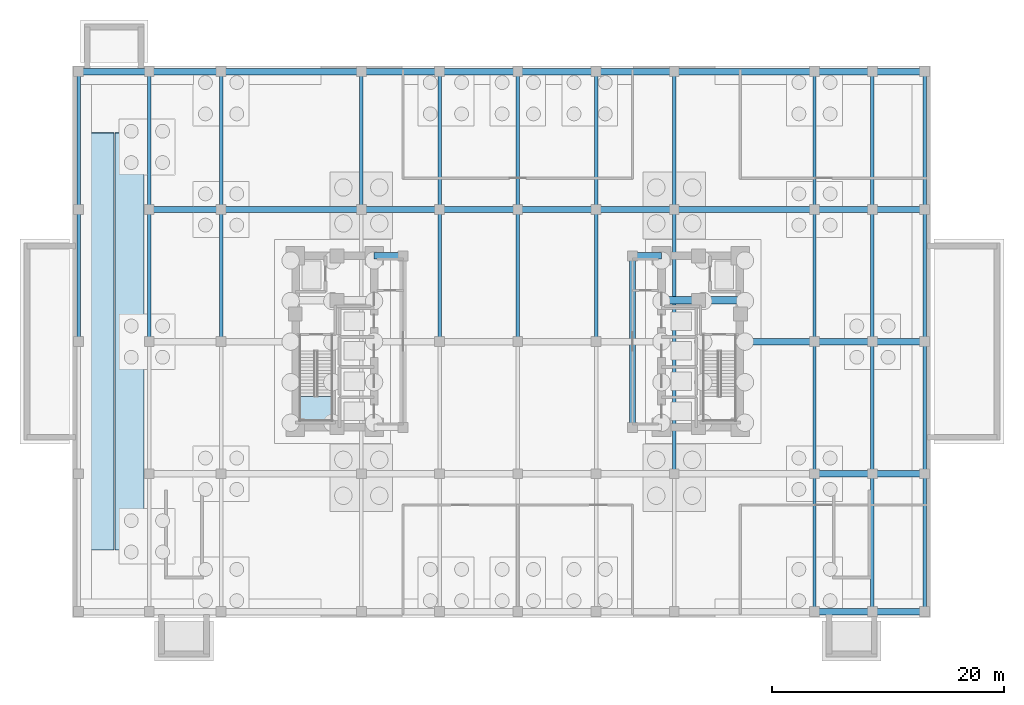
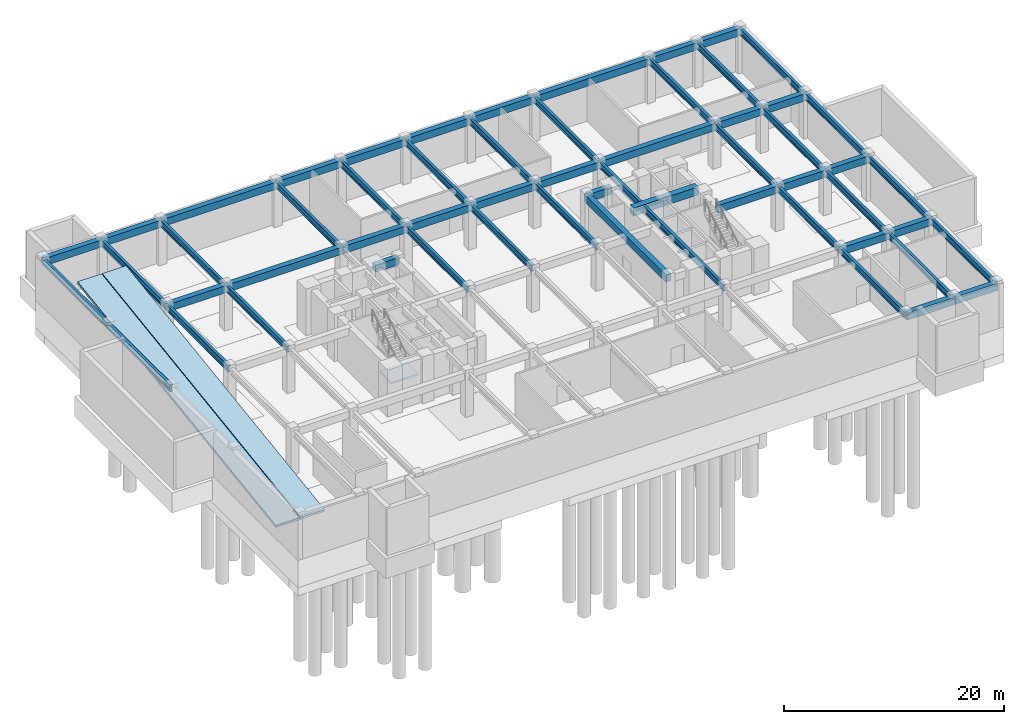
# One storey, part 3 of 11: 57 beams, 3 slabs, 1 element without a shape of its own.
"""IFC4 building model written with IfcOpenShell, lengths in metres."""

from ifc_helpers import new_model, si_unit, direction, frame, origin, origin_2d, place, context, subcontext, project, spatial, polyline, rectangle, i_section, outline, extrude, material, layer, layer_set, material_profile, profile_set, type_object, element, aggregate, save


model = new_model("IFC4")

# Units and contexts
model_context = context("Model", 3, precision=1e-05, world=origin(), true_north=direction((0.0, 1.0)))
body_context = subcontext(model_context, "Body", "Model", "MODEL_VIEW")
ifc_project = project(units=[si_unit("LENGTHUNIT", "METRE"), si_unit("AREAUNIT", "SQUARE_METRE"), si_unit("VOLUMEUNIT", "CUBIC_METRE"), si_unit("PLANEANGLEUNIT", "RADIAN"), si_unit("MASSUNIT", "GRAM", prefix="KILO")], contexts=[model_context])

# Site, building, storey
site_placement = place(None, origin())
site = spatial("IfcSite", under=ifc_project, at=site_placement, CompositionType="ELEMENT")
building_placement = place(site_placement, origin())
building = spatial("IfcBuilding", under=site, at=building_placement, Name="Voryun Gate Residences", CompositionType="ELEMENT")
storey_placement = place(building_placement, frame((0.0, 0.0, -10.39990234375)))
storey = spatial("IfcBuildingStorey", under=building, at=storey_placement, Name="B02", CompositionType="ELEMENT", Elevation=-10.39990234375)

# Beams
ifc_material_1 = material(Name="Concrete C50/60", Category="concrete")
ifc_material_profile_1 = material_profile(ifc_material_1, rectangle(XDim=0.550048828125, YDim=0.800048828125, at=origin_2d()), Name="RC-550x800")
ifc_profile_set_1 = profile_set([ifc_material_profile_1], Name="Concrete C50/60")
beam_type_1 = type_object("IfcBeamType", Name="BM_BSMT_RC800", PredefinedType="BEAM", material=ifc_profile_set_1)
for number, where, z_axis, x_axis, name in (
    (1, (-12.39990234375, 7.39990234375, 4.47998046875), (1.0, 0.0, 0.0), (0.0, 1.0, 0.0), "BM-B02-CLRX-CLR-WN"),
    (2, (12.39990234375, 7.39990234375, 4.47998046875), (-1.0, 0.0, 0.0), (0.0, -1.0, 0.0), "BM-B02-CLRX-CLR-EN"),
):
    element("IfcBeam", number, at=place(storey_placement, frame(where, z_axis=z_axis, x_axis=x_axis)), inside=storey, type_object=beam_type_1, Name=name, PredefinedType="BEAM", context=body_context, shape_type="SweptSolid", body=[
        extrude(rectangle(XDim=0.550048828125, YDim=0.800048828125, at=origin_2d()), origin(), (0.0, 0.0, 1.0), 2.5),
    ])
beam_1_placement = place(storey_placement, frame((9.89990234375, -7.39990234375, 4.47998046875), z_axis=(0.0, 1.0, 0.0), x_axis=(-1.0, 0.0, 0.0)))
element("IfcBeam", 3, at=beam_1_placement, inside=storey, type_object=beam_type_1, Name="BM-B02-CLRY-E", PredefinedType="BEAM", context=body_context, shape_type="SweptSolid", body=[
    extrude(rectangle(XDim=0.550048828125, YDim=0.800048828125, at=origin_2d()), origin(), (0.0, 0.0, 1.0), 14.7998046875),
])
beam_2_placement = place(storey_placement, frame((25.60009765625, -23.300048828125, 4.47998046875), z_axis=(1.0, 0.0, 0.0), x_axis=(0.0, 1.0, 0.0)))
element("IfcBeam", 4, at=beam_2_placement, inside=storey, type_object=beam_type_1, Name="BM-B02-BX--23.3-8", PredefinedType="BEAM", context=body_context, shape_type="SweptSolid", body=[
    extrude(rectangle(XDim=0.550048828125, YDim=0.800048828125, at=origin_2d()), origin(), (0.0, 0.0, 1.0), 5.0),
])
beam_3_placement = place(storey_placement, frame((30.60009765625, -23.300048828125, 4.47998046875), z_axis=(1.0, 0.0, 0.0), x_axis=(0.0, 1.0, 0.0)))
element("IfcBeam", 5, at=beam_3_placement, inside=storey, type_object=beam_type_1, Name="BM-B02-BX--23.3-9", PredefinedType="BEAM", context=body_context, shape_type="SweptSolid", body=[
    extrude(rectangle(XDim=0.550048828125, YDim=0.800048828125, at=origin_2d()), origin(), (0.0, 0.0, 1.0), 4.5),
])
beam_4_placement = place(storey_placement, frame((25.60009765625, -11.39990234375, 4.47998046875), z_axis=(1.0, 0.0, 0.0), x_axis=(0.0, 1.0, 0.0)))
element("IfcBeam", 6, at=beam_4_placement, inside=storey, type_object=beam_type_1, Name="BM-B02-BX--11.4-8", PredefinedType="BEAM", context=body_context, shape_type="SweptSolid", body=[
    extrude(rectangle(XDim=0.550048828125, YDim=0.800048828125, at=origin_2d()), origin(), (0.0, 0.0, 1.0), 5.0),
])
beam_5_placement = place(storey_placement, frame((30.60009765625, -11.39990234375, 4.47998046875), z_axis=(1.0, 0.0, 0.0), x_axis=(0.0, 1.0, 0.0)))
element("IfcBeam", 7, at=beam_5_placement, inside=storey, type_object=beam_type_1, Name="BM-B02-BX--11.4-9", PredefinedType="BEAM", context=body_context, shape_type="SweptSolid", body=[
    extrude(rectangle(XDim=0.550048828125, YDim=0.800048828125, at=origin_2d()), origin(), (0.0, 0.0, 1.0), 4.5),
])
beam_6_placement = place(storey_placement, frame((19.199951171875, 0.0, 4.47998046875), z_axis=(1.0, 0.0, 0.0), x_axis=(0.0, 1.0, 0.0)))
element("IfcBeam", 8, at=beam_6_placement, inside=storey, type_object=beam_type_1, Name="BM-B02-BX-+0.0-9", PredefinedType="BEAM", context=body_context, shape_type="SweptSolid", body=[
    extrude(rectangle(XDim=0.550048828125, YDim=0.800048828125, at=origin_2d()), origin(), (0.0, 0.0, 1.0), 6.400146484375),
])
beam_7_placement = place(storey_placement, frame((25.60009765625, 0.0, 4.47998046875), z_axis=(1.0, 0.0, 0.0), x_axis=(0.0, 1.0, 0.0)))
element("IfcBeam", 9, at=beam_7_placement, inside=storey, type_object=beam_type_1, Name="BM-B02-BX-+0.0-10", PredefinedType="BEAM", context=body_context, shape_type="SweptSolid", body=[
    extrude(rectangle(XDim=0.550048828125, YDim=0.800048828125, at=origin_2d()), origin(), (0.0, 0.0, 1.0), 5.0),
])
beam_8_placement = place(storey_placement, frame((30.60009765625, 0.0, 4.47998046875), z_axis=(1.0, 0.0, 0.0), x_axis=(0.0, 1.0, 0.0)))
element("IfcBeam", 10, at=beam_8_placement, inside=storey, type_object=beam_type_1, Name="BM-B02-BX-+0.0-11", PredefinedType="BEAM", context=body_context, shape_type="SweptSolid", body=[
    extrude(rectangle(XDim=0.550048828125, YDim=0.800048828125, at=origin_2d()), origin(), (0.0, 0.0, 1.0), 4.5),
])
beam_9_placement = place(storey_placement, frame((-31.800048828125, 11.39990234375, 4.47998046875), z_axis=(1.0, 0.0, 0.0), x_axis=(0.0, 1.0, 0.0)))
element("IfcBeam", 11, at=beam_9_placement, inside=storey, type_object=beam_type_1, Name="BM-B02-BX-+11.4-1", PredefinedType="BEAM", context=body_context, shape_type="SweptSolid", body=[
    extrude(rectangle(XDim=0.550048828125, YDim=0.800048828125, at=origin_2d()), origin(), (0.0, 0.0, 1.0), 6.199951171875),
])
beam_10_placement = place(storey_placement, frame((-25.60009765625, 11.39990234375, 4.47998046875), z_axis=(1.0, 0.0, 0.0), x_axis=(0.0, 1.0, 0.0)))
element("IfcBeam", 12, at=beam_10_placement, inside=storey, type_object=beam_type_1, Name="BM-B02-BX-+11.4-2", PredefinedType="BEAM", context=body_context, shape_type="SweptSolid", body=[
    extrude(rectangle(XDim=0.550048828125, YDim=0.800048828125, at=origin_2d()), origin(), (0.0, 0.0, 1.0), 12.10009765625),
])
for number, where, z_axis, x_axis, name in (
    (13, (-13.5, 11.39990234375, 4.47998046875), (1.0, 0.0, 0.0), (0.0, 1.0, 0.0), "BM-B02-BX-+11.4-3"),
    (14, (-6.75, 11.39990234375, 4.47998046875), (1.0, 0.0, 0.0), (0.0, 1.0, 0.0), "BM-B02-BX-+11.4-4"),
    (15, (0.0, 11.39990234375, 4.47998046875), (1.0, 0.0, 0.0), (0.0, 1.0, 0.0), "BM-B02-BX-+11.4-5"),
    (16, (6.75, 11.39990234375, 4.47998046875), (1.0, 0.0, 0.0), (0.0, 1.0, 0.0), "BM-B02-BX-+11.4-6"),
):
    element("IfcBeam", number, at=place(storey_placement, frame(where, z_axis=z_axis, x_axis=x_axis)), inside=storey, type_object=beam_type_1, Name=name, PredefinedType="BEAM", context=body_context, shape_type="SweptSolid", body=[
        extrude(rectangle(XDim=0.550048828125, YDim=0.800048828125, at=origin_2d()), origin(), (0.0, 0.0, 1.0), 6.75),
    ])
beam_11_placement = place(storey_placement, frame((13.5, 11.39990234375, 4.47998046875), z_axis=(1.0, 0.0, 0.0), x_axis=(0.0, 1.0, 0.0)))
element("IfcBeam", 17, at=beam_11_placement, inside=storey, type_object=beam_type_1, Name="BM-B02-BX-+11.4-7", PredefinedType="BEAM", context=body_context, shape_type="SweptSolid", body=[
    extrude(rectangle(XDim=0.550048828125, YDim=0.800048828125, at=origin_2d()), origin(), (0.0, 0.0, 1.0), 12.10009765625),
])
beam_12_placement = place(storey_placement, frame((25.60009765625, 11.39990234375, 4.47998046875), z_axis=(1.0, 0.0, 0.0), x_axis=(0.0, 1.0, 0.0)))
element("IfcBeam", 18, at=beam_12_placement, inside=storey, type_object=beam_type_1, Name="BM-B02-BX-+11.4-8", PredefinedType="BEAM", context=body_context, shape_type="SweptSolid", body=[
    extrude(rectangle(XDim=0.550048828125, YDim=0.800048828125, at=origin_2d()), origin(), (0.0, 0.0, 1.0), 5.0),
])
beam_13_placement = place(storey_placement, frame((30.60009765625, 11.39990234375, 4.47998046875), z_axis=(1.0, 0.0, 0.0), x_axis=(0.0, 1.0, 0.0)))
element("IfcBeam", 19, at=beam_13_placement, inside=storey, type_object=beam_type_1, Name="BM-B02-BX-+11.4-9", PredefinedType="BEAM", context=body_context, shape_type="SweptSolid", body=[
    extrude(rectangle(XDim=0.550048828125, YDim=0.800048828125, at=origin_2d()), origin(), (0.0, 0.0, 1.0), 4.5),
])
beam_14_placement = place(storey_placement, frame((-37.89990234375, 23.300048828125, 4.47998046875), z_axis=(1.0, 0.0, 0.0), x_axis=(0.0, 1.0, 0.0)))
element("IfcBeam", 20, at=beam_14_placement, inside=storey, type_object=beam_type_1, Name="BM-B02-BX-+23.3-0", PredefinedType="BEAM", context=body_context, shape_type="SweptSolid", body=[
    extrude(rectangle(XDim=0.550048828125, YDim=0.800048828125, at=origin_2d()), origin(), (0.0, 0.0, 1.0), 6.099853515625),
])
beam_15_placement = place(storey_placement, frame((-31.800048828125, 23.300048828125, 4.47998046875), z_axis=(1.0, 0.0, 0.0), x_axis=(0.0, 1.0, 0.0)))
element("IfcBeam", 21, at=beam_15_placement, inside=storey, type_object=beam_type_1, Name="BM-B02-BX-+23.3-1", PredefinedType="BEAM", context=body_context, shape_type="SweptSolid", body=[
    extrude(rectangle(XDim=0.550048828125, YDim=0.800048828125, at=origin_2d()), origin(), (0.0, 0.0, 1.0), 6.199951171875),
])
beam_16_placement = place(storey_placement, frame((-25.60009765625, 23.300048828125, 4.47998046875), z_axis=(1.0, 0.0, 0.0), x_axis=(0.0, 1.0, 0.0)))
element("IfcBeam", 22, at=beam_16_placement, inside=storey, type_object=beam_type_1, Name="BM-B02-BX-+23.3-2", PredefinedType="BEAM", context=body_context, shape_type="SweptSolid", body=[
    extrude(rectangle(XDim=0.550048828125, YDim=0.800048828125, at=origin_2d()), origin(), (0.0, 0.0, 1.0), 12.10009765625),
])
for number, where, z_axis, x_axis, name in (
    (23, (-13.5, 23.300048828125, 4.47998046875), (1.0, 0.0, 0.0), (0.0, 1.0, 0.0), "BM-B02-BX-+23.3-3"),
    (24, (-6.75, 23.300048828125, 4.47998046875), (1.0, 0.0, 0.0), (0.0, 1.0, 0.0), "BM-B02-BX-+23.3-4"),
    (25, (0.0, 23.300048828125, 4.47998046875), (1.0, 0.0, 0.0), (0.0, 1.0, 0.0), "BM-B02-BX-+23.3-5"),
    (26, (6.75, 23.300048828125, 4.47998046875), (1.0, 0.0, 0.0), (0.0, 1.0, 0.0), "BM-B02-BX-+23.3-6"),
):
    element("IfcBeam", number, at=place(storey_placement, frame(where, z_axis=z_axis, x_axis=x_axis)), inside=storey, type_object=beam_type_1, Name=name, PredefinedType="BEAM", context=body_context, shape_type="SweptSolid", body=[
        extrude(rectangle(XDim=0.550048828125, YDim=0.800048828125, at=origin_2d()), origin(), (0.0, 0.0, 1.0), 6.75),
    ])
beam_17_placement = place(storey_placement, frame((13.5, 23.300048828125, 4.47998046875), z_axis=(1.0, 0.0, 0.0), x_axis=(0.0, 1.0, 0.0)))
element("IfcBeam", 27, at=beam_17_placement, inside=storey, type_object=beam_type_1, Name="BM-B02-BX-+23.3-7", PredefinedType="BEAM", context=body_context, shape_type="SweptSolid", body=[
    extrude(rectangle(XDim=0.550048828125, YDim=0.800048828125, at=origin_2d()), origin(), (0.0, 0.0, 1.0), 12.10009765625),
])
beam_18_placement = place(storey_placement, frame((25.60009765625, 23.300048828125, 4.47998046875), z_axis=(1.0, 0.0, 0.0), x_axis=(0.0, 1.0, 0.0)))
element("IfcBeam", 28, at=beam_18_placement, inside=storey, type_object=beam_type_1, Name="BM-B02-BX-+23.3-8", PredefinedType="BEAM", context=body_context, shape_type="SweptSolid", body=[
    extrude(rectangle(XDim=0.550048828125, YDim=0.800048828125, at=origin_2d()), origin(), (0.0, 0.0, 1.0), 5.0),
])
beam_19_placement = place(storey_placement, frame((30.60009765625, 23.300048828125, 4.47998046875), z_axis=(1.0, 0.0, 0.0), x_axis=(0.0, 1.0, 0.0)))
element("IfcBeam", 29, at=beam_19_placement, inside=storey, type_object=beam_type_1, Name="BM-B02-BX-+23.3-9", PredefinedType="BEAM", context=body_context, shape_type="SweptSolid", body=[
    extrude(rectangle(XDim=0.550048828125, YDim=0.800048828125, at=origin_2d()), origin(), (0.0, 0.0, 1.0), 4.5),
])
ifc_material_2 = material(Name="Concrete C60/75", Category="concrete")
ifc_material_profile_2 = material_profile(ifc_material_2, rectangle(XDim=0.64990234375, YDim=0.89990234375, at=origin_2d()), Name="RC-650x900")
ifc_profile_set_2 = profile_set([ifc_material_profile_2], Name="Concrete C60/75")
beam_type_2 = type_object("IfcBeamType", Name="BM_COUP_RC900", PredefinedType="LINTEL", material=ifc_profile_set_2)
beam_20_placement = place(storey_placement, frame((12.39990234375, 3.550048828125, 4.429931640625), z_axis=(1.0, 0.0, 0.0), x_axis=(0.0, 1.0, 0.0)))
element("IfcBeam", 30, at=beam_20_placement, inside=storey, type_object=beam_type_2, Name="BM-B02-EC1", PredefinedType="LINTEL", context=body_context, shape_type="SweptSolid", body=[
    extrude(rectangle(XDim=0.64990234375, YDim=0.89990234375, at=origin_2d()), origin(), (0.0, 0.0, 1.0), 6.800048828125),
])
ifc_material_3 = material(Name="Steel SM355", Category="steel")
ifc_material_profile_3 = material_profile(ifc_material_3, i_section(OverallWidth=0.300048828125, OverallDepth=0.699951171875, WebThickness=0.012939453125, FlangeThickness=0.02392578125, FilletRadius=0.01806640625, at=origin_2d()), Name="H-700x300x13x24")
ifc_profile_set_3 = profile_set([ifc_material_profile_3], Name="Steel SM355")
beam_type_3 = type_object("IfcBeamType", Name="BM_GIRD_700", PredefinedType="USERDEFINED", material=ifc_profile_set_3)
beam_21_placement = place(storey_placement, frame((-37.89990234375, 0.0, 4.52978515625), z_axis=(0.0, 1.0, 0.0), x_axis=(-1.0, 0.0, 0.0)))
element("IfcBeam", 31, at=beam_21_placement, inside=storey, type_object=beam_type_3, Name="BM-B02-BY--37.9-2", ObjectType="GIRDER", PredefinedType="USERDEFINED", context=body_context, shape_type="SweptSolid", body=[
    extrude(i_section(OverallWidth=0.300048828125, OverallDepth=0.699951171875, WebThickness=0.012939453125, FlangeThickness=0.02392578125, FilletRadius=0.01806640625, at=origin_2d()), origin(), (0.0, 0.0, 1.0), 11.39990234375),
])
beam_22_placement = place(storey_placement, frame((-37.89990234375, 11.39990234375, 4.52978515625), z_axis=(0.0, 1.0, 0.0), x_axis=(-1.0, 0.0, 0.0)))
element("IfcBeam", 32, at=beam_22_placement, inside=storey, type_object=beam_type_3, Name="BM-B02-BY--37.9-3", ObjectType="GIRDER", PredefinedType="USERDEFINED", context=body_context, shape_type="SweptSolid", body=[
    extrude(i_section(OverallWidth=0.300048828125, OverallDepth=0.699951171875, WebThickness=0.012939453125, FlangeThickness=0.02392578125, FilletRadius=0.01806640625, at=origin_2d()), origin(), (0.0, 0.0, 1.0), 11.900146484375),
])
beam_23_placement = place(storey_placement, frame((-31.800048828125, 0.0, 4.52978515625), z_axis=(0.0, 1.0, 0.0), x_axis=(-1.0, 0.0, 0.0)))
element("IfcBeam", 33, at=beam_23_placement, inside=storey, type_object=beam_type_3, Name="BM-B02-BY--31.8-2", ObjectType="GIRDER", PredefinedType="USERDEFINED", context=body_context, shape_type="SweptSolid", body=[
    extrude(i_section(OverallWidth=0.300048828125, OverallDepth=0.699951171875, WebThickness=0.012939453125, FlangeThickness=0.02392578125, FilletRadius=0.01806640625, at=origin_2d()), origin(), (0.0, 0.0, 1.0), 11.39990234375),
])
beam_24_placement = place(storey_placement, frame((-31.800048828125, 11.39990234375, 4.52978515625), z_axis=(0.0, 1.0, 0.0), x_axis=(-1.0, 0.0, 0.0)))
element("IfcBeam", 34, at=beam_24_placement, inside=storey, type_object=beam_type_3, Name="BM-B02-BY--31.8-3", ObjectType="GIRDER", PredefinedType="USERDEFINED", context=body_context, shape_type="SweptSolid", body=[
    extrude(i_section(OverallWidth=0.300048828125, OverallDepth=0.699951171875, WebThickness=0.012939453125, FlangeThickness=0.02392578125, FilletRadius=0.01806640625, at=origin_2d()), origin(), (0.0, 0.0, 1.0), 11.900146484375),
])
beam_25_placement = place(storey_placement, frame((-25.60009765625, 0.0, 4.52978515625), z_axis=(0.0, 1.0, 0.0), x_axis=(-1.0, 0.0, 0.0)))
element("IfcBeam", 35, at=beam_25_placement, inside=storey, type_object=beam_type_3, Name="BM-B02-BY--25.6-2", ObjectType="GIRDER", PredefinedType="USERDEFINED", context=body_context, shape_type="SweptSolid", body=[
    extrude(i_section(OverallWidth=0.300048828125, OverallDepth=0.699951171875, WebThickness=0.012939453125, FlangeThickness=0.02392578125, FilletRadius=0.01806640625, at=origin_2d()), origin(), (0.0, 0.0, 1.0), 11.39990234375),
])
for number, where, z_axis, x_axis, name in (
    (36, (-25.60009765625, 11.39990234375, 4.52978515625), (0.0, 1.0, 0.0), (-1.0, 0.0, 0.0), "BM-B02-BY--25.6-3"),
    (37, (-13.5, 11.39990234375, 4.52978515625), (0.0, 1.0, 0.0), (-1.0, 0.0, 0.0), "BM-B02-BY--13.5-2"),
):
    element("IfcBeam", number, at=place(storey_placement, frame(where, z_axis=z_axis, x_axis=x_axis)), inside=storey, type_object=beam_type_3, Name=name, ObjectType="GIRDER", PredefinedType="USERDEFINED", context=body_context, shape_type="SweptSolid", body=[
        extrude(i_section(OverallWidth=0.300048828125, OverallDepth=0.699951171875, WebThickness=0.012939453125, FlangeThickness=0.02392578125, FilletRadius=0.01806640625, at=origin_2d()), origin(), (0.0, 0.0, 1.0), 11.900146484375),
    ])
beam_26_placement = place(storey_placement, frame((-6.75, 0.0, 4.52978515625), z_axis=(0.0, 1.0, 0.0), x_axis=(-1.0, 0.0, 0.0)))
element("IfcBeam", 38, at=beam_26_placement, inside=storey, type_object=beam_type_3, Name="BM-B02-BY--6.8-2", ObjectType="GIRDER", PredefinedType="USERDEFINED", context=body_context, shape_type="SweptSolid", body=[
    extrude(i_section(OverallWidth=0.300048828125, OverallDepth=0.699951171875, WebThickness=0.012939453125, FlangeThickness=0.02392578125, FilletRadius=0.01806640625, at=origin_2d()), origin(), (0.0, 0.0, 1.0), 11.39990234375),
])
beam_27_placement = place(storey_placement, frame((-6.75, 11.39990234375, 4.52978515625), z_axis=(0.0, 1.0, 0.0), x_axis=(-1.0, 0.0, 0.0)))
element("IfcBeam", 39, at=beam_27_placement, inside=storey, type_object=beam_type_3, Name="BM-B02-BY--6.8-3", ObjectType="GIRDER", PredefinedType="USERDEFINED", context=body_context, shape_type="SweptSolid", body=[
    extrude(i_section(OverallWidth=0.300048828125, OverallDepth=0.699951171875, WebThickness=0.012939453125, FlangeThickness=0.02392578125, FilletRadius=0.01806640625, at=origin_2d()), origin(), (0.0, 0.0, 1.0), 11.900146484375),
])
beam_28_placement = place(storey_placement, frame((0.0, 0.0, 4.52978515625), z_axis=(0.0, 1.0, 0.0), x_axis=(-1.0, 0.0, 0.0)))
element("IfcBeam", 40, at=beam_28_placement, inside=storey, type_object=beam_type_3, Name="BM-B02-BY-+0.0-2", ObjectType="GIRDER", PredefinedType="USERDEFINED", context=body_context, shape_type="SweptSolid", body=[
    extrude(i_section(OverallWidth=0.300048828125, OverallDepth=0.699951171875, WebThickness=0.012939453125, FlangeThickness=0.02392578125, FilletRadius=0.01806640625, at=origin_2d()), origin(), (0.0, 0.0, 1.0), 11.39990234375),
])
beam_29_placement = place(storey_placement, frame((0.0, 11.39990234375, 4.52978515625), z_axis=(0.0, 1.0, 0.0), x_axis=(-1.0, 0.0, 0.0)))
element("IfcBeam", 41, at=beam_29_placement, inside=storey, type_object=beam_type_3, Name="BM-B02-BY-+0.0-3", ObjectType="GIRDER", PredefinedType="USERDEFINED", context=body_context, shape_type="SweptSolid", body=[
    extrude(i_section(OverallWidth=0.300048828125, OverallDepth=0.699951171875, WebThickness=0.012939453125, FlangeThickness=0.02392578125, FilletRadius=0.01806640625, at=origin_2d()), origin(), (0.0, 0.0, 1.0), 11.900146484375),
])
beam_30_placement = place(storey_placement, frame((6.75, 0.0, 4.52978515625), z_axis=(0.0, 1.0, 0.0), x_axis=(-1.0, 0.0, 0.0)))
element("IfcBeam", 42, at=beam_30_placement, inside=storey, type_object=beam_type_3, Name="BM-B02-BY-+6.8-2", ObjectType="GIRDER", PredefinedType="USERDEFINED", context=body_context, shape_type="SweptSolid", body=[
    extrude(i_section(OverallWidth=0.300048828125, OverallDepth=0.699951171875, WebThickness=0.012939453125, FlangeThickness=0.02392578125, FilletRadius=0.01806640625, at=origin_2d()), origin(), (0.0, 0.0, 1.0), 11.39990234375),
])
beam_31_placement = place(storey_placement, frame((6.75, 11.39990234375, 4.52978515625), z_axis=(0.0, 1.0, 0.0), x_axis=(-1.0, 0.0, 0.0)))
element("IfcBeam", 43, at=beam_31_placement, inside=storey, type_object=beam_type_3, Name="BM-B02-BY-+6.8-3", ObjectType="GIRDER", PredefinedType="USERDEFINED", context=body_context, shape_type="SweptSolid", body=[
    extrude(i_section(OverallWidth=0.300048828125, OverallDepth=0.699951171875, WebThickness=0.012939453125, FlangeThickness=0.02392578125, FilletRadius=0.01806640625, at=origin_2d()), origin(), (0.0, 0.0, 1.0), 11.900146484375),
])
beam_32_placement = place(storey_placement, frame((13.5, -11.39990234375, 4.52978515625), z_axis=(0.0, 1.0, 0.0), x_axis=(-1.0, 0.0, 0.0)))
element("IfcBeam", 44, at=beam_32_placement, inside=storey, type_object=beam_type_3, Name="BM-B02-BY-+13.5-1", ObjectType="GIRDER", PredefinedType="USERDEFINED", context=body_context, shape_type="SweptSolid", body=[
    extrude(i_section(OverallWidth=0.300048828125, OverallDepth=0.699951171875, WebThickness=0.012939453125, FlangeThickness=0.02392578125, FilletRadius=0.01806640625, at=origin_2d()), origin(), (0.0, 0.0, 1.0), 22.7998046875),
])
for number, where, z_axis, x_axis, name in (
    (45, (13.5, 11.39990234375, 4.52978515625), (0.0, 1.0, 0.0), (-1.0, 0.0, 0.0), "BM-B02-BY-+13.5-2"),
    (46, (25.60009765625, -23.300048828125, 4.52978515625), (0.0, 1.0, 0.0), (-1.0, 0.0, 0.0), "BM-B02-BY-+25.6-0"),
):
    element("IfcBeam", number, at=place(storey_placement, frame(where, z_axis=z_axis, x_axis=x_axis)), inside=storey, type_object=beam_type_3, Name=name, ObjectType="GIRDER", PredefinedType="USERDEFINED", context=body_context, shape_type="SweptSolid", body=[
        extrude(i_section(OverallWidth=0.300048828125, OverallDepth=0.699951171875, WebThickness=0.012939453125, FlangeThickness=0.02392578125, FilletRadius=0.01806640625, at=origin_2d()), origin(), (0.0, 0.0, 1.0), 11.900146484375),
    ])
for number, where, z_axis, x_axis, name in (
    (47, (25.60009765625, -11.39990234375, 4.52978515625), (0.0, 1.0, 0.0), (-1.0, 0.0, 0.0), "BM-B02-BY-+25.6-1"),
    (48, (25.60009765625, 0.0, 4.52978515625), (0.0, 1.0, 0.0), (-1.0, 0.0, 0.0), "BM-B02-BY-+25.6-2"),
):
    element("IfcBeam", number, at=place(storey_placement, frame(where, z_axis=z_axis, x_axis=x_axis)), inside=storey, type_object=beam_type_3, Name=name, ObjectType="GIRDER", PredefinedType="USERDEFINED", context=body_context, shape_type="SweptSolid", body=[
        extrude(i_section(OverallWidth=0.300048828125, OverallDepth=0.699951171875, WebThickness=0.012939453125, FlangeThickness=0.02392578125, FilletRadius=0.01806640625, at=origin_2d()), origin(), (0.0, 0.0, 1.0), 11.39990234375),
    ])
for number, where, z_axis, x_axis, name in (
    (49, (25.60009765625, 11.39990234375, 4.52978515625), (0.0, 1.0, 0.0), (-1.0, 0.0, 0.0), "BM-B02-BY-+25.6-3"),
    (50, (30.60009765625, -23.300048828125, 4.52978515625), (0.0, 1.0, 0.0), (-1.0, 0.0, 0.0), "BM-B02-BY-+30.6-0"),
):
    element("IfcBeam", number, at=place(storey_placement, frame(where, z_axis=z_axis, x_axis=x_axis)), inside=storey, type_object=beam_type_3, Name=name, ObjectType="GIRDER", PredefinedType="USERDEFINED", context=body_context, shape_type="SweptSolid", body=[
        extrude(i_section(OverallWidth=0.300048828125, OverallDepth=0.699951171875, WebThickness=0.012939453125, FlangeThickness=0.02392578125, FilletRadius=0.01806640625, at=origin_2d()), origin(), (0.0, 0.0, 1.0), 11.900146484375),
    ])
for number, where, z_axis, x_axis, name in (
    (51, (30.60009765625, -11.39990234375, 4.52978515625), (0.0, 1.0, 0.0), (-1.0, 0.0, 0.0), "BM-B02-BY-+30.6-1"),
    (52, (30.60009765625, 0.0, 4.52978515625), (0.0, 1.0, 0.0), (-1.0, 0.0, 0.0), "BM-B02-BY-+30.6-2"),
):
    element("IfcBeam", number, at=place(storey_placement, frame(where, z_axis=z_axis, x_axis=x_axis)), inside=storey, type_object=beam_type_3, Name=name, ObjectType="GIRDER", PredefinedType="USERDEFINED", context=body_context, shape_type="SweptSolid", body=[
        extrude(i_section(OverallWidth=0.300048828125, OverallDepth=0.699951171875, WebThickness=0.012939453125, FlangeThickness=0.02392578125, FilletRadius=0.01806640625, at=origin_2d()), origin(), (0.0, 0.0, 1.0), 11.39990234375),
    ])
for number, where, z_axis, x_axis, name in (
    (53, (30.60009765625, 11.39990234375, 4.52978515625), (0.0, 1.0, 0.0), (-1.0, 0.0, 0.0), "BM-B02-BY-+30.6-3"),
    (54, (35.10009765625, -23.300048828125, 4.52978515625), (0.0, 1.0, 0.0), (-1.0, 0.0, 0.0), "BM-B02-BY-+35.1-0"),
):
    element("IfcBeam", number, at=place(storey_placement, frame(where, z_axis=z_axis, x_axis=x_axis)), inside=storey, type_object=beam_type_3, Name=name, ObjectType="GIRDER", PredefinedType="USERDEFINED", context=body_context, shape_type="SweptSolid", body=[
        extrude(i_section(OverallWidth=0.300048828125, OverallDepth=0.699951171875, WebThickness=0.012939453125, FlangeThickness=0.02392578125, FilletRadius=0.01806640625, at=origin_2d()), origin(), (0.0, 0.0, 1.0), 11.900146484375),
    ])
for number, where, z_axis, x_axis, name in (
    (55, (35.10009765625, -11.39990234375, 4.52978515625), (0.0, 1.0, 0.0), (-1.0, 0.0, 0.0), "BM-B02-BY-+35.1-1"),
    (56, (35.10009765625, 0.0, 4.52978515625), (0.0, 1.0, 0.0), (-1.0, 0.0, 0.0), "BM-B02-BY-+35.1-2"),
):
    element("IfcBeam", number, at=place(storey_placement, frame(where, z_axis=z_axis, x_axis=x_axis)), inside=storey, type_object=beam_type_3, Name=name, ObjectType="GIRDER", PredefinedType="USERDEFINED", context=body_context, shape_type="SweptSolid", body=[
        extrude(i_section(OverallWidth=0.300048828125, OverallDepth=0.699951171875, WebThickness=0.012939453125, FlangeThickness=0.02392578125, FilletRadius=0.01806640625, at=origin_2d()), origin(), (0.0, 0.0, 1.0), 11.39990234375),
    ])
beam_33_placement = place(storey_placement, frame((35.10009765625, 11.39990234375, 4.52978515625), z_axis=(0.0, 1.0, 0.0), x_axis=(-1.0, 0.0, 0.0)))
element("IfcBeam", 57, at=beam_33_placement, inside=storey, type_object=beam_type_3, Name="BM-B02-BY-+35.1-3", ObjectType="GIRDER", PredefinedType="USERDEFINED", context=body_context, shape_type="SweptSolid", body=[
    extrude(i_section(OverallWidth=0.300048828125, OverallDepth=0.699951171875, WebThickness=0.012939453125, FlangeThickness=0.02392578125, FilletRadius=0.01806640625, at=origin_2d()), origin(), (0.0, 0.0, 1.0), 11.900146484375),
])

# Slabs
ifc_material_4 = material(Name="Concrete C40/50", Category="concrete")
ifc_layer_1 = layer(ifc_material_4, 0.260009765625, Name="SLB_RAMP_SLOPED_260")
ifc_layer_set_1 = layer_set([ifc_layer_1], Name="Concrete C40/50")
slab_type_1 = type_object("IfcSlabType", Name="SLB_RAMP_SLOPED_260", PredefinedType="FLOOR", material=ifc_layer_set_1)
for number, where, z_axis, x_axis, name in (
    (58, (-37.35009765625, -18.0, 0.0), (0.0, -0.142959447686, 0.989728546783), (1.0, 0.0, 0.0), "Car park vehicle ramp B02-B01 lane 1"),
    (59, (-34.77001953125, -18.0, 0.0), (0.0, -0.142959447686, 0.989728546783), (1.0, 0.0, 0.0), "Car park vehicle ramp B02-B01 lane 2"),
):
    element("IfcSlab", number, at=place(storey_placement, frame(where, z_axis=z_axis, x_axis=x_axis)), inside=storey, type_object=slab_type_1, Name=name, PredefinedType="FLOOR", context=body_context, shape_type="SweptSolid", body=[
        extrude(outline(polyline([(0.0, 0.0), (2.52001953125, 0.0), (2.52001953125, 36.37360983171569), (0.0, 36.37360983171569), (0.0, 0.0)])), origin(), (0.0, 0.0, -1.0), 0.260009765625),
    ])

# Stair, slab
ifc_material_5 = material(Name="Concrete C40/50", Category="concrete")
stair_type = type_object("IfcStairType", Name="STR_CORE_DOGLEG_1350", PredefinedType="HALF_TURN_STAIR", material=ifc_material_5)
stair_placement = place(storey_placement, origin())
stair = element("IfcStair", 60, at=stair_placement, inside=storey, type_object=stair_type, Name="B02 Special Escape Stair ST-W1", PredefinedType="HALF_TURN_STAIR")
ifc_material_6 = material(Name="Concrete C40/50", Category="concrete")
ifc_layer_2 = layer(ifc_material_6, 0.199951171875, Name="SLB_STAIR_LANDING_200")
ifc_layer_set_2 = layer_set([ifc_layer_2], Name="Concrete C40/50")
slab_type_2 = type_object("IfcSlabType", Name="SLB_STAIR_LANDING_200", PredefinedType="LANDING", material=ifc_layer_set_2)
slab_placement = place(storey_placement, frame((0.0, 0.0, 2.39990234375)))
slab = element("IfcSlab", 61, at=slab_placement, type_object=slab_type_2, Name="ST-W1 landing 1", PredefinedType="LANDING", context=body_context, shape_type="SweptSolid", body=[
    extrude(outline(polyline([(-18.824951171875, -4.719970703125), (-18.824951171875, -6.85009765625), (-15.97509765625, -6.85009765625), (-15.97509765625, -4.719970703125), (-18.824951171875, -4.719970703125)])), origin(), (0.0, 0.0, 1.0), 0.199951171875),
])
aggregate(stair, [slab])

save(model, "model.ifc")
